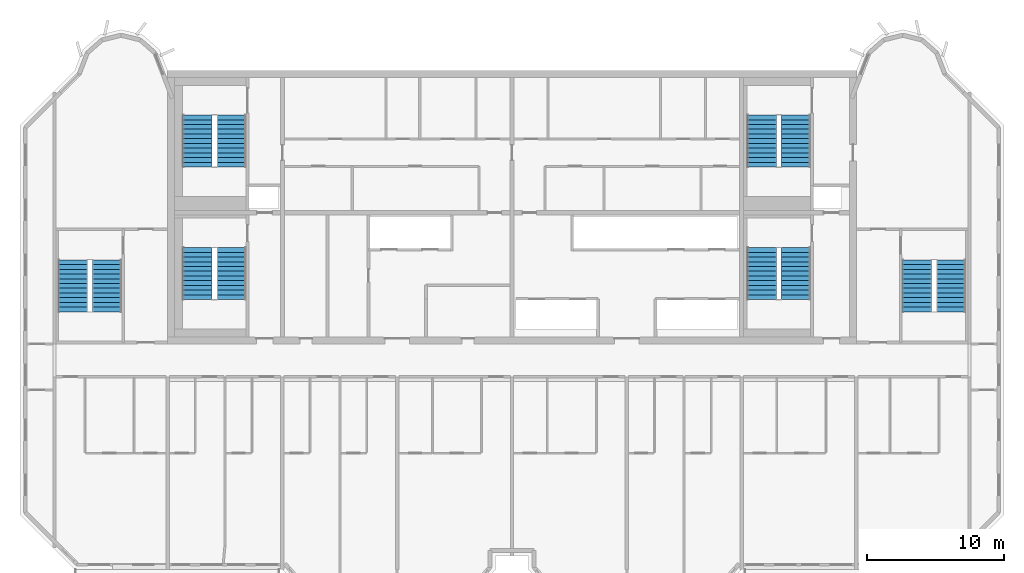
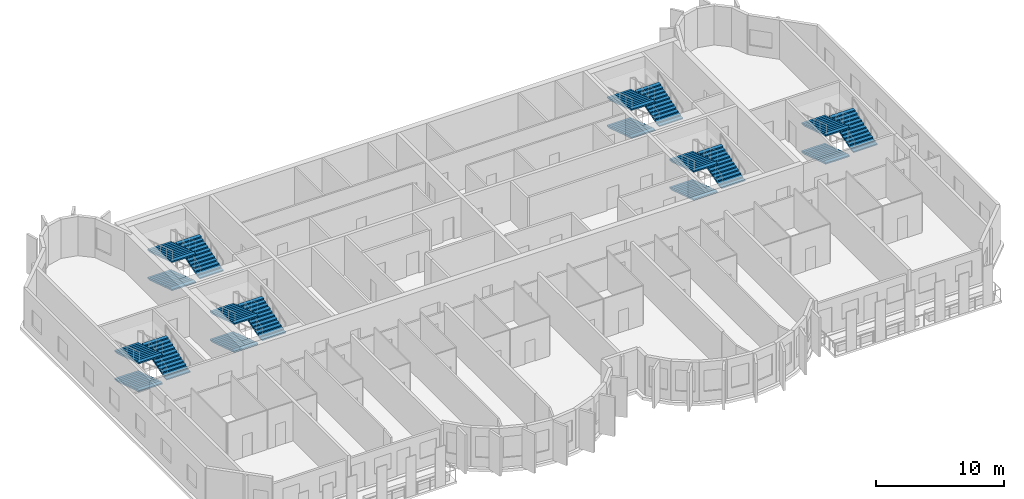
# One storey, part 9 of 12: 18 stair flights, 6 elements without a shape of their own.
"""IFC4 building model written with IfcOpenShell, lengths in metres."""

import ifcopenshell
import ifcopenshell.guid

model = None  # the IFC model being written
_history = None  # IfcOwnerHistory: only IFC2X3 demands one
_inside = {}  # id of a spatial element -> (the spatial element, [elements in it])
_under = {}  # id of a project, library or spatial element -> (it, [spatial elements below it])
_declared = {}  # id of a project -> (the project, [libraries it declares])
_typed = {}  # id of a type object -> (the type object, [elements of that type])
_made_of = {}  # id of a material, layer set ... -> (it, [elements and type objects made of it])


def new_model(schema):
    """Start an empty IFC model of exactly this schema.

    Asked for "IFC4X3", IfcOpenShell would pick the latest addendum, in which some entities
    have other attributes; the version numbers below select the first issue.
    IFC2X3 requires an IfcOwnerHistory on every rooted entity: one is made here for all.
    """
    global model, _history
    if schema == "IFC4X3":
        model = ifcopenshell.file(schema_version=(4, 3, 0, 0))
    else:
        model = ifcopenshell.file(schema=schema)
    _inside.clear()
    _under.clear()
    _declared.clear()
    _typed.clear()
    _made_of.clear()
    _history = None
    if model.schema == "IFC2X3":
        org = make("IfcOrganization", Name="unknown")
        user = make(
            "IfcPersonAndOrganization",
            ThePerson=make("IfcPerson", FamilyName="unknown"),
            TheOrganization=org,
        )
        app = make(
            "IfcApplication",
            ApplicationDeveloper=org,
            Version="unknown",
            ApplicationFullName="unknown",
            ApplicationIdentifier="unknown",
        )
        _history = make(
            "IfcOwnerHistory",
            OwningUser=user,
            OwningApplication=app,
            ChangeAction="ADDED",
            CreationDate=0,
        )
    return model


def make(cls, **values):
    """One entity of the class cls with the attributes given. An attribute that is None is left unset."""
    return model.create_entity(
        cls, **{name: value for name, value in values.items() if value is not None}
    )


def rooted(cls, **values):
    """An entity with a GlobalId (a new one), such as an element, a storey or a relation."""
    return make(cls, GlobalId=ifcopenshell.guid.new(), OwnerHistory=_history, **values)


def si_unit(unit_type, name, prefix=None):
    """IfcSIUnit, for example si_unit("LENGTHUNIT", "METRE", prefix="MILLI")."""
    return make("IfcSIUnit", UnitType=unit_type, Prefix=prefix, Name=name)


def assignment(units):
    """IfcUnitAssignment: the units of a project."""
    return None if units is None else make("IfcUnitAssignment", Units=units)


def point(xyz):
    """IfcCartesianPoint."""
    return None if xyz is None else make("IfcCartesianPoint", Coordinates=xyz)


def direction(xyz):
    """IfcDirection."""
    return None if xyz is None else make("IfcDirection", DirectionRatios=xyz)


def frame(location, z_axis=None, x_axis=None):
    """IfcAxis2Placement3D, a coordinate frame: its origin and axes. An axis left out is left unset."""
    return make(
        "IfcAxis2Placement3D",
        Location=point(location),
        Axis=direction(z_axis),
        RefDirection=direction(x_axis),
    )


def origin():
    """The frame at (0, 0, 0) with its axes left unset."""
    return frame((0.0, 0.0, 0.0))


def place(relative_to, where):
    """IfcLocalPlacement: puts the frame where relative to a parent placement (None: the world)."""
    return make(
        "IfcLocalPlacement", PlacementRelTo=relative_to, RelativePlacement=where
    )


def context(
    kind, dimensions, precision=None, world=None, true_north=None, identifier=None
):
    """IfcGeometricRepresentationContext, for example the 3D "Model" context."""
    return make(
        "IfcGeometricRepresentationContext",
        ContextIdentifier=identifier,
        ContextType=kind,
        CoordinateSpaceDimension=dimensions,
        Precision=precision,
        WorldCoordinateSystem=world,
        TrueNorth=true_north,
    )


def subcontext(parent, identifier, kind, view, scale=None):
    """IfcGeometricRepresentationSubContext, for example "Body" below "Model"."""
    return make(
        "IfcGeometricRepresentationSubContext",
        ContextIdentifier=identifier,
        ContextType=kind,
        ParentContext=parent,
        TargetScale=scale,
        TargetView=view,
    )


def project(units=None, contexts=None):
    """IfcProject with its units and contexts."""
    return rooted(
        "IfcProject",
        Name="project",
        RepresentationContexts=contexts,
        UnitsInContext=assignment(units),
    )


def spatial(cls, under=None, at=None, **own):
    """A site, building, storey or space (cls), placed at a placement, below another one or the project."""
    s = rooted(cls, ObjectPlacement=at, **own)
    if under is not None:
        _under.setdefault(under.id(), (under, []))[1].append(s)
    return s


def polyline(points):
    """IfcPolyline through the points."""
    return make("IfcPolyline", Points=[point(p) for p in points])


def outline(outer, holes=None, kind="AREA"):
    """IfcArbitraryClosedProfileDef: a profile drawn as a closed curve; with holes, ...WithVoids."""
    if holes is None:
        return make("IfcArbitraryClosedProfileDef", ProfileType=kind, OuterCurve=outer)
    return make(
        "IfcArbitraryProfileDefWithVoids",
        ProfileType=kind,
        OuterCurve=outer,
        InnerCurves=holes,
    )


def extrude(swept, where, along, depth):
    """IfcExtrudedAreaSolid: the profile swept, set in the frame where, extruded along a direction by depth."""
    return make(
        "IfcExtrudedAreaSolid",
        SweptArea=swept,
        Position=where,
        ExtrudedDirection=direction(along),
        Depth=depth,
    )


def shape(context_of_items, identifier, shape_type, items):
    """IfcShapeRepresentation: the items that make up one representation, for example the "Body"."""
    return make(
        "IfcShapeRepresentation",
        ContextOfItems=context_of_items,
        RepresentationIdentifier=identifier,
        RepresentationType=shape_type,
        Items=items,
    )


def source(mapping_origin, context_of_items, identifier, shape_type, items):
    """IfcRepresentationMap: a shape defined once, which mapped items show again and again."""
    return make(
        "IfcRepresentationMap",
        MappingOrigin=mapping_origin,
        MappedRepresentation=shape(context_of_items, identifier, shape_type, items),
    )


def transform(
    local_origin,
    x_axis=None,
    y_axis=None,
    z_axis=None,
    scale=None,
    scale2=None,
    scale3=None,
    uniform=True,
):
    """IfcCartesianTransformationOperator3D, or its non-uniform kind. x_axis, y_axis, z_axis: its Axis1, 2, 3."""
    if uniform:
        return make(
            "IfcCartesianTransformationOperator3D",
            Axis1=direction(x_axis),
            Axis2=direction(y_axis),
            LocalOrigin=point(local_origin),
            Scale=scale,
            Axis3=direction(z_axis),
        )
    return make(
        "IfcCartesianTransformationOperator3DnonUniform",
        Axis1=direction(x_axis),
        Axis2=direction(y_axis),
        LocalOrigin=point(local_origin),
        Scale=scale,
        Axis3=direction(z_axis),
        Scale2=scale2,
        Scale3=scale3,
    )


def mapped(mapping_source, mapping_target):
    """IfcMappedItem: shows the shape of a source again, moved by a transform."""
    return make(
        "IfcMappedItem", MappingSource=mapping_source, MappingTarget=mapping_target
    )


def material(Name=None, Category=None):
    """IfcMaterial."""
    return make("IfcMaterial", Name=Name, Category=Category)


def made_of(thing, what):
    """Note that an element or type object is made of a material, layer set ...; save() writes the relation."""
    if what is not None:
        _made_of.setdefault(what.id(), (what, []))[1].append(thing)
    return thing


def type_object(cls, material=None, **own):
    """A type object (cls), such as IfcWallType, which elements share."""
    return made_of(rooted(cls, **own), material)


def element(
    cls,
    number,
    at=None,
    inside=None,
    cuts=None,
    type_object=None,
    material=None,
    context=None,
    identifier="Body",
    shape_type=None,
    held_by="IfcProductDefinitionShape",
    body=None,
    shapes=None,
    **own,
):
    """One element of the class cls, such as IfcWall. Its Tag is "e" and its number.

    at: its placement. inside: the storey or other place that contains it. cuts: it is an
    opening in that element (IfcRelVoidsElement). A single representation is given by context,
    identifier, shape_type and body (its items); several are given by shapes. held_by: the class
    of the entity that holds the representations. save() writes the other relations.
    """
    e = rooted(cls, Tag="e%d" % number, ObjectPlacement=at, **own)
    if body is not None:
        shapes = [shape(context, identifier, shape_type, body)]
    if shapes is not None:
        e.Representation = make(held_by, Representations=shapes)
    if inside is not None:
        _inside.setdefault(inside.id(), (inside, []))[1].append(e)
    if cuts is not None:
        rooted(
            "IfcRelVoidsElement", RelatingBuildingElement=cuts, RelatedOpeningElement=e
        )
    if type_object is not None:
        _typed.setdefault(type_object.id(), (type_object, []))[1].append(e)
    return made_of(e, material)


def aggregate(whole, parts):
    """IfcRelAggregates: a whole, such as a stair, and the parts it consists of."""
    return rooted("IfcRelAggregates", RelatingObject=whole, RelatedObjects=parts)


def save(model, path):
    """Write the relations noted so far, then the file.

    IfcRelAggregates (storeys below a building ...), IfcRelContainedInSpatialStructure (elements
    in a storey), IfcRelDefinesByType, IfcRelAssociatesMaterial and IfcRelDeclares: one each for
    every whole, place, type object, material and project.
    """
    for whole, parts in _under.values():
        aggregate(whole, parts)
    for where, things in _inside.values():
        rooted(
            "IfcRelContainedInSpatialStructure",
            RelatedElements=things,
            RelatingStructure=where,
        )
    for kind, things in _typed.values():
        rooted("IfcRelDefinesByType", RelatedObjects=things, RelatingType=kind)
    for what, things in _made_of.values():
        rooted("IfcRelAssociatesMaterial", RelatedObjects=things, RelatingMaterial=what)
    for by, libraries in _declared.values():
        rooted("IfcRelDeclares", RelatingContext=by, RelatedDefinitions=libraries)
    model.write(path)


model = new_model("IFC4")

# Units and contexts
model_context = context("Model", 3, precision=1e-05, world=origin(), true_north=direction((0.0, 1.0)))
body_context = subcontext(model_context, "Body", "Model", "MODEL_VIEW")
ifc_project = project(units=[si_unit("LENGTHUNIT", "METRE"), si_unit("AREAUNIT", "SQUARE_METRE"), si_unit("VOLUMEUNIT", "CUBIC_METRE"), si_unit("PLANEANGLEUNIT", "RADIAN"), si_unit("MASSUNIT", "GRAM", prefix="KILO")], contexts=[model_context])

# Site, building, storey
site_placement = place(None, origin())
site = spatial("IfcSite", under=ifc_project, at=site_placement, CompositionType="ELEMENT")
building_placement = place(site_placement, origin())
building = spatial("IfcBuilding", under=site, at=building_placement, Name="Vanashikhar Sky Hotel", CompositionType="ELEMENT")
storey_placement = place(building_placement, frame((0.0, 0.0, 293.699951171875)))
storey = spatial("IfcBuildingStorey", under=building, at=storey_placement, Name="L70", CompositionType="ELEMENT", Elevation=293.699951171875)

# Stair, stair flights
ifc_material = material(Name="Concrete M40", Category="concrete")
stair_type = type_object("IfcStairType", Name="Exit stair 2150", PredefinedType="DOUBLE_RETURN_STAIR", material=ifc_material)
stair_1_placement = place(storey_placement, origin())
stair_1 = element("IfcStair", 1, at=stair_1_placement, inside=storey, type_object=stair_type, Name="L70 Exit stair 1", PredefinedType="DOUBLE_RETURN_STAIR")
stair_flight_type = type_object("IfcStairFlightType", Name="Stair flight 2150", PredefinedType="STRAIGHT", material=ifc_material)
shared_shape = source(origin(), body_context, "Body", "SweptSolid", [
    extrude(outline(polyline([(0.0, 0.0), (0.0, 0.111083984375), (0.345458984375, 0.111083984375), (0.345458984375, 0.22216796875), (0.69091796875, 0.22216796875), (0.69091796875, 0.333251953125), (1.036376953125, 0.333251953125), (1.036376953125, 0.4443359375), (1.3818359375, 0.4443359375), (1.3818359375, 0.5556640625), (1.727294921875, 0.5556640625), (1.727294921875, 0.666748046875), (2.07275390625, 0.666748046875), (2.07275390625, 0.77783203125), (2.418212890625, 0.77783203125), (2.418212890625, 0.888916015625), (2.763671875, 0.888916015625), (2.763671875, 1.0), (3.109130859375, 1.0), (3.109130859375, 1.111083984375), (3.45458984375, 1.111083984375), (3.45458984375, 1.22216796875), (3.800048828125, 1.22216796875), (3.800048828125, 1.333251953125), (3.800048828125, 1.095947265625), (0.392333984375, 0.0), (0.0, 0.0)])), frame((0.0, 1.074951171875, 0.0), z_axis=(0.0, -1.0, 0.0), x_axis=(1.0, 0.0, 0.0)), (0.0, 0.0, 1.0), 2.14990234375),
])
stair_flight_1_placement = place(storey_placement, frame((27.375, 29.050048828125, 0.0), z_axis=(0.0, 0.0, 1.0), x_axis=(0.0, -1.0, 0.0)))
stair_flight_1 = element("IfcStairFlight", 2, at=stair_flight_1_placement, type_object=stair_flight_type, Name="ST-C1 flight 1", NumberOfRisers=12, NumberOfTreads=11, PredefinedType="STRAIGHT", RiserHeight=0.111111111, TreadLength=0.345454545, context=body_context, shape_type="MappedRepresentation", body=[
    mapped(shared_shape, transform((0.0, 0.0, 0.0), scale=1.0)),
])
stair_flight_2_placement = place(storey_placement, frame((29.875, 25.25, 1.33349609375), z_axis=(0.0, 0.0, 1.0), x_axis=(0.0, 1.0, 0.0)))
stair_flight_2 = element("IfcStairFlight", 3, at=stair_flight_2_placement, type_object=stair_flight_type, Name="ST-C1 flight 2", NumberOfRisers=12, NumberOfTreads=11, PredefinedType="STRAIGHT", RiserHeight=0.111111111, TreadLength=0.345454545, context=body_context, shape_type="MappedRepresentation", body=[
    mapped(shared_shape, transform((0.0, 0.0, 0.0), scale=1.0)),
])
stair_flight_3_placement = place(storey_placement, frame((27.375, 29.050048828125, 2.666748046875), z_axis=(0.0, 0.0, 1.0), x_axis=(0.0, -1.0, 0.0)))
stair_flight_3 = element("IfcStairFlight", 4, at=stair_flight_3_placement, type_object=stair_flight_type, Name="ST-C1 flight 3", NumberOfRisers=12, NumberOfTreads=11, PredefinedType="STRAIGHT", RiserHeight=0.111111111, TreadLength=0.345454545, context=body_context, shape_type="MappedRepresentation", body=[
    mapped(shared_shape, transform((0.0, 0.0, 0.0), scale=1.0)),
])
aggregate(stair_1, [stair_flight_1, stair_flight_2, stair_flight_3])

stair_2_placement = place(storey_placement, origin())
stair_2 = element("IfcStair", 5, at=stair_2_placement, inside=storey, type_object=stair_type, Name="L70 Exit stair 2", PredefinedType="DOUBLE_RETURN_STAIR")
stair_flight_4_placement = place(storey_placement, frame((68.675048828125, 29.050048828125, 0.0), z_axis=(0.0, 0.0, 1.0), x_axis=(0.0, -1.0, 0.0)))
stair_flight_4 = element("IfcStairFlight", 6, at=stair_flight_4_placement, type_object=stair_flight_type, Name="ST-C2 flight 1", NumberOfRisers=12, NumberOfTreads=11, PredefinedType="STRAIGHT", RiserHeight=0.111111111, TreadLength=0.345454545, context=body_context, shape_type="MappedRepresentation", body=[
    mapped(shared_shape, transform((0.0, 0.0, 0.0), scale=1.0)),
])
stair_flight_5_placement = place(storey_placement, frame((71.175048828125, 25.25, 1.33349609375), z_axis=(0.0, 0.0, 1.0), x_axis=(0.0, 1.0, 0.0)))
stair_flight_5 = element("IfcStairFlight", 7, at=stair_flight_5_placement, type_object=stair_flight_type, Name="ST-C2 flight 2", NumberOfRisers=12, NumberOfTreads=11, PredefinedType="STRAIGHT", RiserHeight=0.111111111, TreadLength=0.345454545, context=body_context, shape_type="MappedRepresentation", body=[
    mapped(shared_shape, transform((0.0, 0.0, 0.0), scale=1.0)),
])
stair_flight_6_placement = place(storey_placement, frame((68.675048828125, 29.050048828125, 2.666748046875), z_axis=(0.0, 0.0, 1.0), x_axis=(0.0, -1.0, 0.0)))
stair_flight_6 = element("IfcStairFlight", 8, at=stair_flight_6_placement, type_object=stair_flight_type, Name="ST-C2 flight 3", NumberOfRisers=12, NumberOfTreads=11, PredefinedType="STRAIGHT", RiserHeight=0.111111111, TreadLength=0.345454545, context=body_context, shape_type="MappedRepresentation", body=[
    mapped(shared_shape, transform((0.0, 0.0, 0.0), scale=1.0)),
])
aggregate(stair_2, [stair_flight_4, stair_flight_5, stair_flight_6])

stair_3_placement = place(storey_placement, origin())
stair_3 = element("IfcStair", 9, at=stair_3_placement, inside=storey, type_object=stair_type, Name="L70 Exit stair 3", PredefinedType="DOUBLE_RETURN_STAIR")
stair_flight_7_placement = place(storey_placement, frame((18.27490234375, 28.14990234375, 0.0), z_axis=(0.0, 0.0, 1.0), x_axis=(0.0, -1.0, 0.0)))
stair_flight_7 = element("IfcStairFlight", 10, at=stair_flight_7_placement, type_object=stair_flight_type, Name="ST-W flight 1", NumberOfRisers=12, NumberOfTreads=11, PredefinedType="STRAIGHT", RiserHeight=0.111111111, TreadLength=0.345454545, context=body_context, shape_type="MappedRepresentation", body=[
    mapped(shared_shape, transform((0.0, 0.0, 0.0), scale=1.0)),
])
stair_flight_8_placement = place(storey_placement, frame((20.77490234375, 24.35009765625, 1.33349609375), z_axis=(0.0, 0.0, 1.0), x_axis=(0.0, 1.0, 0.0)))
stair_flight_8 = element("IfcStairFlight", 11, at=stair_flight_8_placement, type_object=stair_flight_type, Name="ST-W flight 2", NumberOfRisers=12, NumberOfTreads=11, PredefinedType="STRAIGHT", RiserHeight=0.111111111, TreadLength=0.345454545, context=body_context, shape_type="MappedRepresentation", body=[
    mapped(shared_shape, transform((0.0, 0.0, 0.0), scale=1.0)),
])
stair_flight_9_placement = place(storey_placement, frame((18.27490234375, 28.14990234375, 2.666748046875), z_axis=(0.0, 0.0, 1.0), x_axis=(0.0, -1.0, 0.0)))
stair_flight_9 = element("IfcStairFlight", 12, at=stair_flight_9_placement, type_object=stair_flight_type, Name="ST-W flight 3", NumberOfRisers=12, NumberOfTreads=11, PredefinedType="STRAIGHT", RiserHeight=0.111111111, TreadLength=0.345454545, context=body_context, shape_type="MappedRepresentation", body=[
    mapped(shared_shape, transform((0.0, 0.0, 0.0), scale=1.0)),
])
aggregate(stair_3, [stair_flight_7, stair_flight_8, stair_flight_9])

stair_4_placement = place(storey_placement, origin())
stair_4 = element("IfcStair", 13, at=stair_4_placement, inside=storey, type_object=stair_type, Name="L70 Exit stair 4", PredefinedType="DOUBLE_RETURN_STAIR")
stair_flight_10_placement = place(storey_placement, frame((80.02490234375, 28.14990234375, 0.0), z_axis=(0.0, 0.0, 1.0), x_axis=(0.0, -1.0, 0.0)))
stair_flight_10 = element("IfcStairFlight", 14, at=stair_flight_10_placement, type_object=stair_flight_type, Name="ST-E flight 1", NumberOfRisers=12, NumberOfTreads=11, PredefinedType="STRAIGHT", RiserHeight=0.111111111, TreadLength=0.345454545, context=body_context, shape_type="MappedRepresentation", body=[
    mapped(shared_shape, transform((0.0, 0.0, 0.0), scale=1.0)),
])
stair_flight_11_placement = place(storey_placement, frame((82.52490234375, 24.35009765625, 1.33349609375), z_axis=(0.0, 0.0, 1.0), x_axis=(0.0, 1.0, 0.0)))
stair_flight_11 = element("IfcStairFlight", 15, at=stair_flight_11_placement, type_object=stair_flight_type, Name="ST-E flight 2", NumberOfRisers=12, NumberOfTreads=11, PredefinedType="STRAIGHT", RiserHeight=0.111111111, TreadLength=0.345454545, context=body_context, shape_type="MappedRepresentation", body=[
    mapped(shared_shape, transform((0.0, 0.0, 0.0), scale=1.0)),
])
stair_flight_12_placement = place(storey_placement, frame((80.02490234375, 28.14990234375, 2.666748046875), z_axis=(0.0, 0.0, 1.0), x_axis=(0.0, -1.0, 0.0)))
stair_flight_12 = element("IfcStairFlight", 16, at=stair_flight_12_placement, type_object=stair_flight_type, Name="ST-E flight 3", NumberOfRisers=12, NumberOfTreads=11, PredefinedType="STRAIGHT", RiserHeight=0.111111111, TreadLength=0.345454545, context=body_context, shape_type="MappedRepresentation", body=[
    mapped(shared_shape, transform((0.0, 0.0, 0.0), scale=1.0)),
])
aggregate(stair_4, [stair_flight_10, stair_flight_11, stair_flight_12])

stair_5_placement = place(storey_placement, origin())
stair_5 = element("IfcStair", 17, at=stair_5_placement, inside=storey, type_object=stair_type, Name="L70 Exit stair 5", PredefinedType="DOUBLE_RETURN_STAIR")
stair_flight_13_placement = place(storey_placement, frame((27.375, 38.75, 0.0), z_axis=(0.0, 0.0, 1.0), x_axis=(0.0, -1.0, 0.0)))
stair_flight_13 = element("IfcStairFlight", 18, at=stair_flight_13_placement, type_object=stair_flight_type, Name="ST-C3 flight 1", NumberOfRisers=12, NumberOfTreads=11, PredefinedType="STRAIGHT", RiserHeight=0.111111111, TreadLength=0.345454545, context=body_context, shape_type="MappedRepresentation", body=[
    mapped(shared_shape, transform((0.0, 0.0, 0.0), scale=1.0)),
])
stair_flight_14_placement = place(storey_placement, frame((29.875, 34.949951171875, 1.33349609375), z_axis=(0.0, 0.0, 1.0), x_axis=(0.0, 1.0, 0.0)))
stair_flight_14 = element("IfcStairFlight", 19, at=stair_flight_14_placement, type_object=stair_flight_type, Name="ST-C3 flight 2", NumberOfRisers=12, NumberOfTreads=11, PredefinedType="STRAIGHT", RiserHeight=0.111111111, TreadLength=0.345454545, context=body_context, shape_type="MappedRepresentation", body=[
    mapped(shared_shape, transform((0.0, 0.0, 0.0), scale=1.0)),
])
stair_flight_15_placement = place(storey_placement, frame((27.375, 38.75, 2.666748046875), z_axis=(0.0, 0.0, 1.0), x_axis=(0.0, -1.0, 0.0)))
stair_flight_15 = element("IfcStairFlight", 20, at=stair_flight_15_placement, type_object=stair_flight_type, Name="ST-C3 flight 3", NumberOfRisers=12, NumberOfTreads=11, PredefinedType="STRAIGHT", RiserHeight=0.111111111, TreadLength=0.345454545, context=body_context, shape_type="MappedRepresentation", body=[
    mapped(shared_shape, transform((0.0, 0.0, 0.0), scale=1.0)),
])
aggregate(stair_5, [stair_flight_13, stair_flight_14, stair_flight_15])

stair_6_placement = place(storey_placement, origin())
stair_6 = element("IfcStair", 21, at=stair_6_placement, inside=storey, type_object=stair_type, Name="L70 Exit stair 6", PredefinedType="DOUBLE_RETURN_STAIR")
stair_flight_16_placement = place(storey_placement, frame((68.675048828125, 38.75, 0.0), z_axis=(0.0, 0.0, 1.0), x_axis=(0.0, -1.0, 0.0)))
stair_flight_16 = element("IfcStairFlight", 22, at=stair_flight_16_placement, type_object=stair_flight_type, Name="ST-C4 flight 1", NumberOfRisers=12, NumberOfTreads=11, PredefinedType="STRAIGHT", RiserHeight=0.111111111, TreadLength=0.345454545, context=body_context, shape_type="MappedRepresentation", body=[
    mapped(shared_shape, transform((0.0, 0.0, 0.0), scale=1.0)),
])
stair_flight_17_placement = place(storey_placement, frame((71.175048828125, 34.949951171875, 1.33349609375), z_axis=(0.0, 0.0, 1.0), x_axis=(0.0, 1.0, 0.0)))
stair_flight_17 = element("IfcStairFlight", 23, at=stair_flight_17_placement, type_object=stair_flight_type, Name="ST-C4 flight 2", NumberOfRisers=12, NumberOfTreads=11, PredefinedType="STRAIGHT", RiserHeight=0.111111111, TreadLength=0.345454545, context=body_context, shape_type="MappedRepresentation", body=[
    mapped(shared_shape, transform((0.0, 0.0, 0.0), scale=1.0)),
])
stair_flight_18_placement = place(storey_placement, frame((68.675048828125, 38.75, 2.666748046875), z_axis=(0.0, 0.0, 1.0), x_axis=(0.0, -1.0, 0.0)))
stair_flight_18 = element("IfcStairFlight", 24, at=stair_flight_18_placement, type_object=stair_flight_type, Name="ST-C4 flight 3", NumberOfRisers=12, NumberOfTreads=11, PredefinedType="STRAIGHT", RiserHeight=0.111111111, TreadLength=0.345454545, context=body_context, shape_type="MappedRepresentation", body=[
    mapped(shared_shape, transform((0.0, 0.0, 0.0), scale=1.0)),
])
aggregate(stair_6, [stair_flight_16, stair_flight_17, stair_flight_18])

save(model, "model.ifc")
